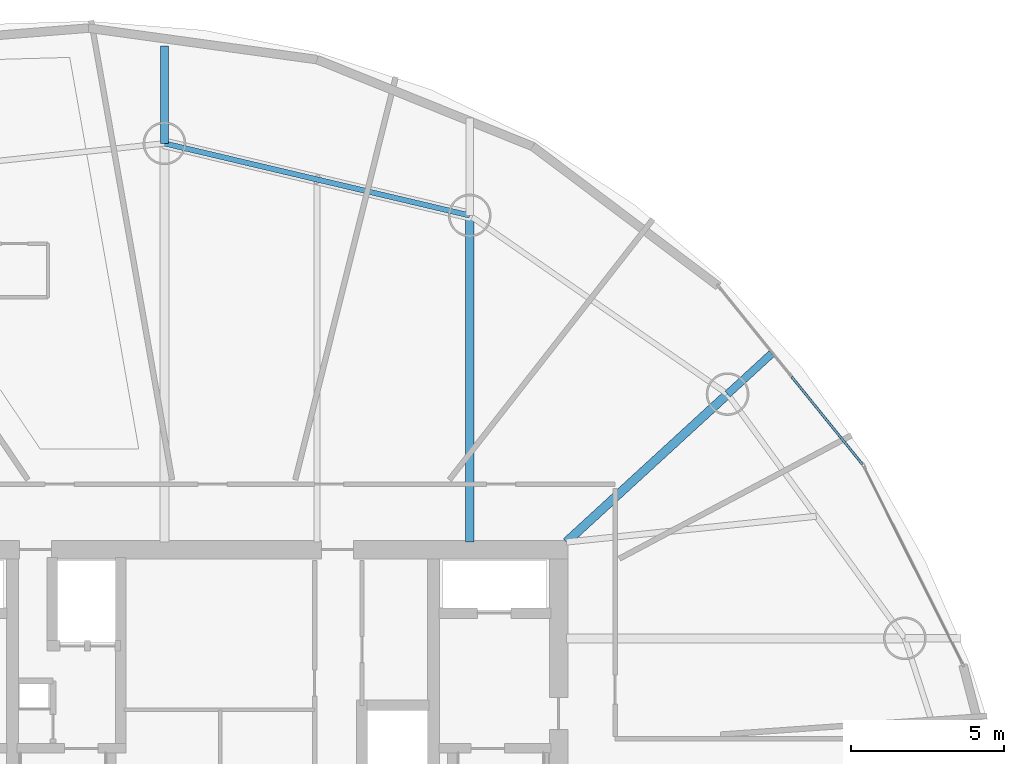
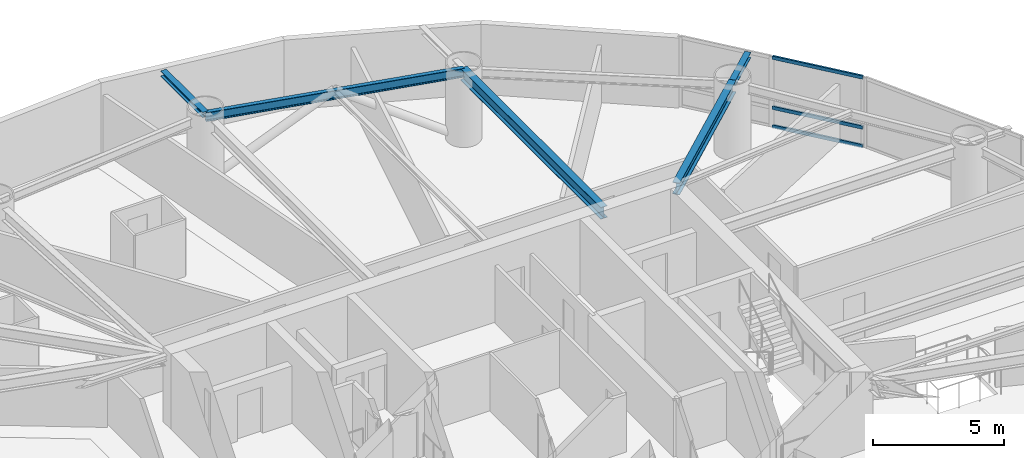
# One storey, part 14 of 24: 5 beams, 3 members, 1 element without a shape of its own.
"""IFC4 building model written with IfcOpenShell, lengths in metres."""

from ifc_helpers import new_model, si_unit, direction, frame, origin, origin_2d, place, context, subcontext, project, spatial, hollow_rectangle, i_section, extrude, material, layer, layer_set, material_profile, profile_set, type_object, element, aggregate, save


model = new_model("IFC4")

# Units and contexts
model_context = context("Model", 3, precision=1e-05, world=origin(), true_north=direction((0.0, 1.0)))
body_context = subcontext(model_context, "Body", "Model", "MODEL_VIEW")
ifc_project = project(units=[si_unit("LENGTHUNIT", "METRE"), si_unit("AREAUNIT", "SQUARE_METRE"), si_unit("VOLUMEUNIT", "CUBIC_METRE"), si_unit("PLANEANGLEUNIT", "RADIAN"), si_unit("MASSUNIT", "GRAM", prefix="KILO")], contexts=[model_context])

# Site, building, storey
site_placement = place(None, origin())
site = spatial("IfcSite", under=ifc_project, at=site_placement, CompositionType="ELEMENT")
building_placement = place(site_placement, origin())
building = spatial("IfcBuilding", under=site, at=building_placement, Name="Bramvorn Convention Spire", CompositionType="ELEMENT")
storey_placement = place(building_placement, frame((0.0, 0.0, 148.300048828125)))
storey = spatial("IfcBuildingStorey", under=building, at=storey_placement, Name="L37", CompositionType="ELEMENT", Elevation=148.300048828125)

# Beams
ifc_material_1 = material(Name="Steel CSA G40.21 Grade 350 (350W)", Category="steel")
ifc_material_profile_1 = material_profile(ifc_material_1, i_section(OverallWidth=0.25390625, OverallDepth=0.2529296875, WebThickness=0.008544921875, FlangeThickness=0.01416015625, FilletRadius=0.011962890625, at=origin_2d()))
ifc_profile_set_1 = profile_set([ifc_material_profile_1], Name="Steel CSA G40.21 Grade 350 (350W) - W250X73")
beam_type_1 = type_object("IfcBeamType", Name="BM-W250X73", PredefinedType="BEAM", material=ifc_profile_set_1)
beam_1_placement = place(storey_placement, frame((54.534912109375, 38.299072265625, 3.133544921875), z_axis=(0.736828513841, 0.676079685533, 0.0), x_axis=(-0.676079685533, 0.736828513841, 0.0)))
element("IfcBeam", 1, at=beam_1_placement, inside=storey, type_object=beam_type_1, Name="L37 slab-edge cantilever tip beam MC04", PredefinedType="BEAM", context=body_context, shape_type="SweptSolid", body=[
    extrude(i_section(OverallWidth=0.25390625, OverallDepth=0.2529296875, WebThickness=0.008544921875, FlangeThickness=0.01416015625, FilletRadius=0.011962890625, at=origin_2d()), origin(), (0.0, 0.0, 1.0), 1.961181640625),
])
beam_2_placement = place(storey_placement, frame((36.075927734375, 46.517333984375, 3.133544921875), z_axis=(0.0, 1.0, 0.0), x_axis=(-1.0, 0.0, 0.0)))
element("IfcBeam", 2, at=beam_2_placement, inside=storey, type_object=beam_type_1, Name="L37 slab-edge cantilever tip beam MC06", PredefinedType="BEAM", context=body_context, shape_type="SweptSolid", body=[
    extrude(i_section(OverallWidth=0.25390625, OverallDepth=0.2529296875, WebThickness=0.008544921875, FlangeThickness=0.01416015625, FilletRadius=0.011962890625, at=origin_2d()), origin(), (0.0, 0.0, 1.0), 3.199951171875),
])
ifc_material_profile_2 = material_profile(ifc_material_1, i_section(OverallWidth=0.180908203125, OverallDepth=0.4169921875, WebThickness=0.010986328125, FlangeThickness=0.018310546875, FilletRadius=0.01611328125, at=origin_2d()))
ifc_profile_set_2 = profile_set([ifc_material_profile_2], Name="Steel CSA G40.21 Grade 350 (350W) - W410X85")
beam_type_2 = type_object("IfcBeamType", Name="BM-W410X85", PredefinedType="JOIST", material=ifc_profile_set_2)
beam_3_placement = place(storey_placement, frame((46.082763671875, 44.154052734375, 3.051513671875), z_axis=(-0.97322750491, 0.229843911572, 0.0), x_axis=(-0.229843911572, -0.97322750491, 0.0)))
element("IfcBeam", 3, at=beam_3_placement, inside=storey, type_object=beam_type_2, Name="L37 mega-column ring beam 05", PredefinedType="JOIST", context=body_context, shape_type="SweptSolid", body=[
    extrude(i_section(OverallWidth=0.180908203125, OverallDepth=0.4169921875, WebThickness=0.010986328125, FlangeThickness=0.018310546875, FilletRadius=0.01611328125, at=origin_2d()), origin(), (0.0, 0.0, 1.0), 10.2822265625),
])
ifc_material_profile_3 = material_profile(ifc_material_1, i_section(OverallWidth=0.2919921875, OverallDepth=0.551025390625, WebThickness=0.01513671875, FlangeThickness=0.0244140625, FilletRadius=0.01904296875, at=origin_2d()))
ifc_profile_set_3 = profile_set([ifc_material_profile_3], Name="Steel CSA G40.21 Grade 350 (350W) - W530X182")
beam_type_3 = type_object("IfcBeamType", Name="BM-W530X182", PredefinedType="BEAM", material=ifc_profile_set_3)
beam_4_placement = place(storey_placement, frame((49.25, 33.449951171875, 2.984375), z_axis=(0.736833323746, 0.676074443399, 0.0), x_axis=(-0.676074443399, 0.736833323746, 0.0)))
element("IfcBeam", 4, at=beam_4_placement, inside=storey, type_object=beam_type_3, Name="L37 radial floor girder MC04", PredefinedType="BEAM", context=body_context, shape_type="SweptSolid", body=[
    extrude(i_section(OverallWidth=0.2919921875, OverallDepth=0.551025390625, WebThickness=0.01513671875, FlangeThickness=0.0244140625, FilletRadius=0.01904296875, at=origin_2d()), origin(), (0.0, 0.0, 1.0), 7.17236328125),
])
beam_5_placement = place(storey_placement, frame((46.082763671875, 33.449951171875, 2.984375), z_axis=(0.0, 1.0, 0.0), x_axis=(-1.0, 0.0, 0.0)))
element("IfcBeam", 5, at=beam_5_placement, inside=storey, type_object=beam_type_3, Name="L37 radial floor girder MC05", PredefinedType="BEAM", context=body_context, shape_type="SweptSolid", body=[
    extrude(i_section(OverallWidth=0.2919921875, OverallDepth=0.551025390625, WebThickness=0.01513671875, FlangeThickness=0.0244140625, FilletRadius=0.01904296875, at=origin_2d()), origin(), (0.0, 0.0, 1.0), 10.7041015625),
])

# Curtain wall, members
ifc_material_2 = material(Name="Anodised Bronze Unitised Curtain Wall", Category="aluminium")
ifc_layer = layer(ifc_material_2, 0.179931640625)
ifc_layer_set = layer_set([ifc_layer], Name="Anodised Bronze Unitised Curtain Wall - CW-HTL-FRIT")
curtain_wall_type = type_object("IfcCurtainWallType", Name="CW-HTL-FRIT", PredefinedType="USERDEFINED", material=ifc_layer_set)
curtain_wall_placement = place(storey_placement, origin())
curtain_wall = element("IfcCurtainWall", 6, at=curtain_wall_placement, inside=storey, type_object=curtain_wall_type, Name="L37 fritted glass curtain wall 05", ObjectType="UNITISED CURTAIN WALL", PredefinedType="USERDEFINED")
ifc_material_3 = material(Name="Anodised Bronze Aluminium 6063-T6", Category="aluminium")
ifc_material_profile_4 = material_profile(ifc_material_3, hollow_rectangle(XDim=0.080078125, YDim=0.159912109375, WallThickness=0.00390625, InnerFilletRadius=0.0009765625, OuterFilletRadius=0.00390625, at=origin_2d()))
ifc_profile_set_4 = profile_set([ifc_material_profile_4], Name="Anodised Bronze Aluminium 6063-T6 - CWT80X160")
member_type = type_object("IfcMemberType", Name="CW-TRN-150", PredefinedType="USERDEFINED", material=ifc_profile_set_4)
member_1_placement = place(storey_placement, frame((56.63427734375, 38.869384765625, 0.030029296875), z_axis=(0.628627771927, -0.777706322696, 0.0), x_axis=(0.777706322696, 0.628627771927, 0.0)))
member_1 = element("IfcMember", 7, at=member_1_placement, type_object=member_type, Name="CW2 transom 2.1", ObjectType="TRANSOM", PredefinedType="USERDEFINED", context=body_context, shape_type="SweptSolid", body=[
    extrude(hollow_rectangle(XDim=0.080078125, YDim=0.159912109375, WallThickness=0.00390625, InnerFilletRadius=0.0009765625, OuterFilletRadius=0.00390625, at=origin_2d()), origin(), (0.0, 0.0, 1.0), 3.694580078125),
])
member_2_placement = place(storey_placement, frame((56.63427734375, 38.869384765625, 0.89990234375), z_axis=(0.628627771927, -0.777706322696, 0.0), x_axis=(0.777706322696, 0.628627771927, 0.0)))
member_2 = element("IfcMember", 8, at=member_2_placement, type_object=member_type, Name="CW2 transom 2.2", ObjectType="TRANSOM", PredefinedType="USERDEFINED", context=body_context, shape_type="SweptSolid", body=[
    extrude(hollow_rectangle(XDim=0.080078125, YDim=0.159912109375, WallThickness=0.00390625, InnerFilletRadius=0.0009765625, OuterFilletRadius=0.00390625, at=origin_2d()), origin(), (0.0, 0.0, 1.0), 3.694580078125),
])
member_3_placement = place(storey_placement, frame((56.63427734375, 38.869384765625, 3.22998046875), z_axis=(0.628627771927, -0.777706322696, 0.0), x_axis=(0.777706322696, 0.628627771927, 0.0)))
member_3 = element("IfcMember", 9, at=member_3_placement, type_object=member_type, Name="CW2 transom 2.3", ObjectType="TRANSOM", PredefinedType="USERDEFINED", context=body_context, shape_type="SweptSolid", body=[
    extrude(hollow_rectangle(XDim=0.080078125, YDim=0.159912109375, WallThickness=0.00390625, InnerFilletRadius=0.0009765625, OuterFilletRadius=0.00390625, at=origin_2d()), origin(), (0.0, 0.0, 1.0), 3.694580078125),
])
aggregate(curtain_wall, [member_1, member_2, member_3])

save(model, "model.ifc")
